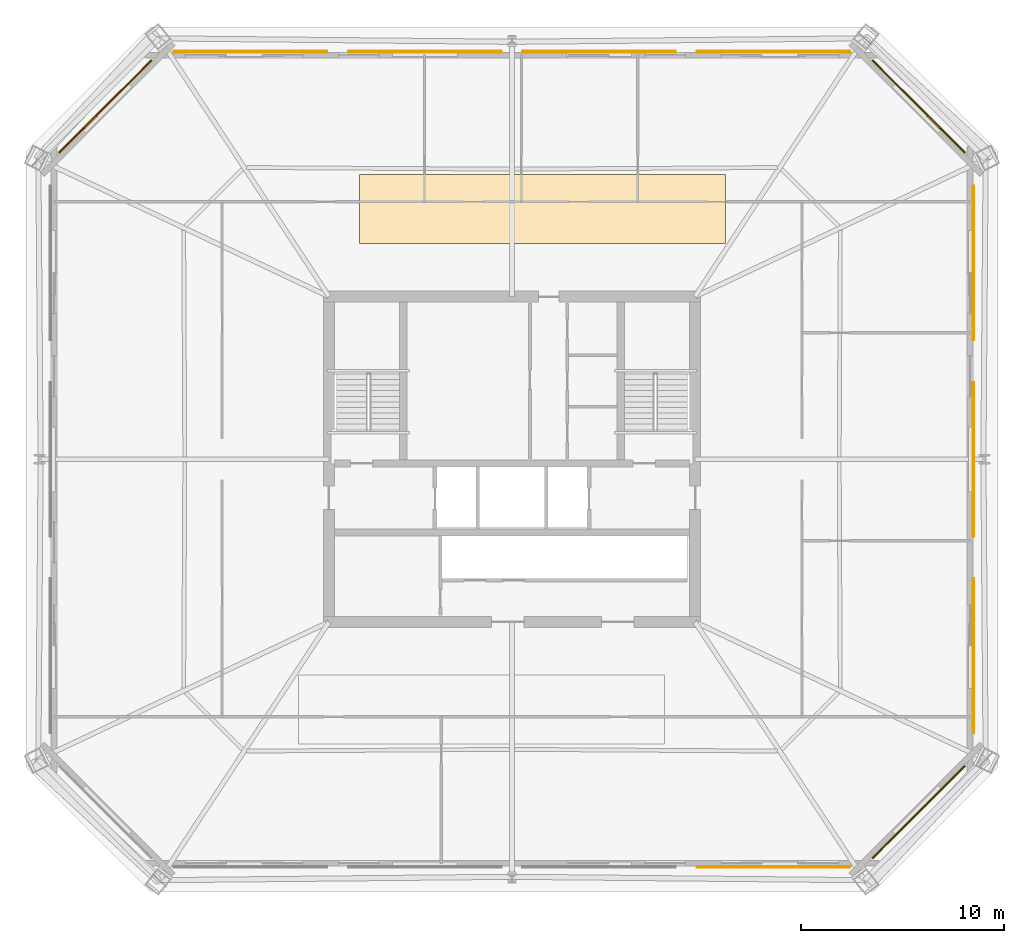
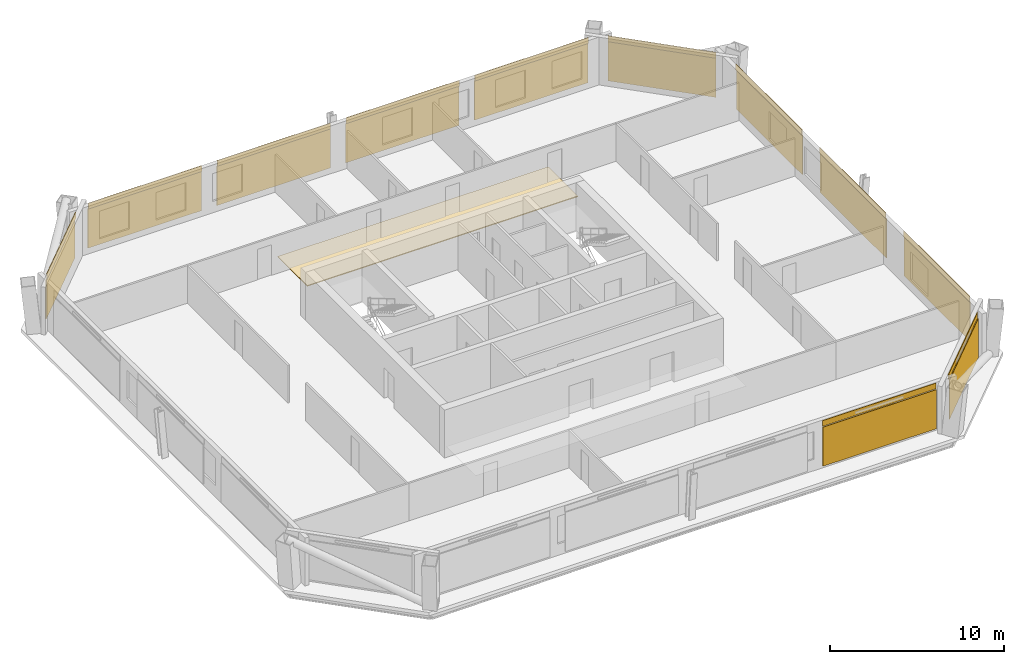
# One storey, part 7 of 7: 12 coverings, 11 shading devices.
"""IFC4 building model written with IfcOpenShell, lengths in metres."""

from ifc_helpers import new_model, si_unit, direction, frame, origin, origin_2d, place, context, subcontext, project, spatial, polyline, rectangle, outline, extrude, material, layer, layer_set, type_object, element, save


model = new_model("IFC4")

# Units and contexts
model_context = context("Model", 3, precision=1e-05, world=origin(), true_north=direction((0.0, 1.0)))
body_context = subcontext(model_context, "Body", "Model", "MODEL_VIEW")
ifc_project = project(units=[si_unit("LENGTHUNIT", "METRE"), si_unit("AREAUNIT", "SQUARE_METRE"), si_unit("VOLUMEUNIT", "CUBIC_METRE"), si_unit("PLANEANGLEUNIT", "RADIAN"), si_unit("MASSUNIT", "GRAM", prefix="KILO")], contexts=[model_context])

# Site, building, storey
site_placement = place(None, origin())
site = spatial("IfcSite", under=ifc_project, at=site_placement, CompositionType="ELEMENT")
building_placement = place(site_placement, origin())
building = spatial("IfcBuilding", under=site, at=building_placement, Name="Caelvoria Tower", CompositionType="ELEMENT")
storey_placement = place(building_placement, frame((0.0, 0.0, 134.800048828125)))
storey = spatial("IfcBuildingStorey", under=building, at=storey_placement, Name="L35", CompositionType="ELEMENT", Elevation=134.800048828125)

# Coverings
ifc_material_1 = material(Name="Perforated Architectural Bronze Cladding Screen", Category="bronze")
ifc_layer_1 = layer(ifc_material_1, 0.0400390625, Name="Perforated Architectural Bronze Cladding Screen")
ifc_layer_set_1 = layer_set([ifc_layer_1], Name="Perforated Bronze Louvre Cladding Band 40 - Perforated Architectural Bronze Cladding Screen")
covering_type_1 = type_object("IfcCoveringType", Name="Perforated Bronze Louvre Cladding Band 40", PredefinedType="CLADDING", material=ifc_layer_set_1)
covering_1_placement = place(storey_placement, frame((58.85498046875, 11.97802734375, 2.93994140625), z_axis=(0.0, 0.0, 1.0), x_axis=(1.0, 0.0, 0.0)))
element("IfcCovering", 1, at=covering_1_placement, inside=storey, type_object=covering_type_1, Name="Perforated Bronze Screen Band L35-E0-03", PredefinedType="CLADDING", context=body_context, shape_type="SweptSolid", body=[
    extrude(rectangle(XDim=7.54150390625, YDim=0.0400390625, at=origin_2d()), origin(), (0.0, 0.0, 1.0), 0.39990234375),
])
covering_2_placement = place(storey_placement, frame((65.981689453125, 14.668212890625, 2.93994140625), z_axis=(0.0, 0.0, 1.0), x_axis=(0.707106781187, 0.707106781187, 0.0)))
element("IfcCovering", 2, at=covering_2_placement, inside=storey, type_object=covering_type_1, Name="Perforated Bronze Screen Band L35-E1-00", PredefinedType="CLADDING", context=body_context, shape_type="SweptSolid", body=[
    extrude(rectangle(XDim=6.429931640625, YDim=0.0400390625, at=origin_2d()), origin(), (0.0, 0.0, 1.0), 0.39990234375),
])
for number, where, z_axis, x_axis, name in (
    (3, (68.672119140625, 22.340087890625, 2.93994140625), (0.0, 0.0, 1.0), (0.0, 1.0, 0.0), "Perforated Bronze Screen Band L35-E2-00"),
    (4, (68.672119140625, 32.0, 2.93994140625), (0.0, 0.0, 1.0), (0.0, 1.0, 0.0), "Perforated Bronze Screen Band L35-E2-01"),
    (5, (68.672119140625, 41.659912109375, 2.93994140625), (0.0, 0.0, 1.0), (0.0, 1.0, 0.0), "Perforated Bronze Screen Band L35-E2-02"),
):
    element("IfcCovering", number, at=place(storey_placement, frame(where, z_axis=z_axis, x_axis=x_axis)), inside=storey, type_object=covering_type_1, Name=name, PredefinedType="CLADDING", context=body_context, shape_type="SweptSolid", body=[
        extrude(rectangle(XDim=7.60009765625, YDim=0.0400390625, at=origin_2d()), origin(), (0.0, 0.0, 1.0), 0.39990234375),
    ])
covering_3_placement = place(storey_placement, frame((65.981689453125, 49.331787109375, 2.93994140625), z_axis=(0.0, 0.0, 1.0), x_axis=(-0.707106781187, 0.707106781187, 0.0)))
element("IfcCovering", 6, at=covering_3_placement, inside=storey, type_object=covering_type_1, Name="Perforated Bronze Screen Band L35-E3-00", PredefinedType="CLADDING", context=body_context, shape_type="SweptSolid", body=[
    extrude(rectangle(XDim=6.429931640625, YDim=0.0400390625, at=origin_2d()), origin(), (0.0, 0.0, 1.0), 0.39990234375),
])
for number, where, z_axis, x_axis, name in (
    (7, (58.85498046875, 52.02197265625, 2.93994140625), (0.0, 0.0, 1.0), (-1.0, 0.0, 0.0), "Perforated Bronze Screen Band L35-E4-00"),
    (8, (50.284912109375, 52.02197265625, 2.93994140625), (0.0, 0.0, 1.0), (-1.0, 0.0, 0.0), "Perforated Bronze Screen Band L35-E4-01"),
    (9, (41.715087890625, 52.02197265625, 2.93994140625), (0.0, 0.0, 1.0), (-1.0, 0.0, 0.0), "Perforated Bronze Screen Band L35-E4-02"),
    (10, (33.14501953125, 52.02197265625, 2.93994140625), (0.0, 0.0, 1.0), (-1.0, 0.0, 0.0), "Perforated Bronze Screen Band L35-E4-03"),
):
    element("IfcCovering", number, at=place(storey_placement, frame(where, z_axis=z_axis, x_axis=x_axis)), inside=storey, type_object=covering_type_1, Name=name, PredefinedType="CLADDING", context=body_context, shape_type="SweptSolid", body=[
        extrude(rectangle(XDim=7.54150390625, YDim=0.0400390625, at=origin_2d()), origin(), (0.0, 0.0, 1.0), 0.39990234375),
    ])
covering_4_placement = place(storey_placement, frame((26.018310546875, 49.331787109375, 2.93994140625), z_axis=(0.0, 0.0, 1.0), x_axis=(-0.707106781187, -0.707106781187, 0.0)))
element("IfcCovering", 11, at=covering_4_placement, inside=storey, type_object=covering_type_1, Name="Perforated Bronze Screen Band L35-E5-00", PredefinedType="CLADDING", context=body_context, shape_type="SweptSolid", body=[
    extrude(rectangle(XDim=6.429931640625, YDim=0.0400390625, at=origin_2d()), origin(), (0.0, 0.0, 1.0), 0.39990234375),
])

# Shading devices
ifc_material_2 = material(Name="Perforated Architectural Bronze Alloy Panel", Category="bronze")
ifc_layer_2 = layer(ifc_material_2, 0.044921875, Name="Perforated Architectural Bronze Alloy Panel")
ifc_layer_set_2 = layer_set([ifc_layer_2], Name="Perforated Bronze Solar Screen Panel SCREEN - Perforated Architectural Bronze Alloy Panel")
shading_device_type = type_object("IfcShadingDeviceType", Name="Perforated Bronze Solar Screen Panel SCREEN", PredefinedType="USERDEFINED", material=ifc_layer_set_2)
shading_device_1_placement = place(storey_placement, frame((58.85498046875, 11.93505859375, 0.159912109375), z_axis=(0.0, 0.0, 1.0), x_axis=(1.0, 0.0, 0.0)))
element("IfcShadingDevice", 12, at=shading_device_1_placement, inside=storey, type_object=shading_device_type, Name="Perforated Bronze Solar Screen L35-E0-03", ObjectType="SCREEN", PredefinedType="USERDEFINED", context=body_context, shape_type="SweptSolid", body=[
    extrude(rectangle(XDim=7.54150390625, YDim=0.044921875, at=origin_2d()), origin(), (0.0, 0.0, 1.0), 2.75),
])
shading_device_2_placement = place(storey_placement, frame((66.01220703125, 14.637939453125, 0.159912109375), z_axis=(0.0, 0.0, 1.0), x_axis=(0.707106781187, 0.707106781187, 0.0)))
element("IfcShadingDevice", 13, at=shading_device_2_placement, inside=storey, type_object=shading_device_type, Name="Perforated Bronze Solar Screen L35-E1-00", ObjectType="SCREEN", PredefinedType="USERDEFINED", context=body_context, shape_type="SweptSolid", body=[
    extrude(rectangle(XDim=6.429931640625, YDim=0.044921875, at=origin_2d()), origin(), (0.0, 0.0, 1.0), 2.75),
])
for number, where, z_axis, x_axis, name in (
    (14, (68.715087890625, 22.340087890625, 0.159912109375), (0.0, 0.0, 1.0), (0.0, 1.0, 0.0), "Perforated Bronze Solar Screen L35-E2-00"),
    (15, (68.715087890625, 32.0, 0.159912109375), (0.0, 0.0, 1.0), (0.0, 1.0, 0.0), "Perforated Bronze Solar Screen L35-E2-01"),
    (16, (68.715087890625, 41.659912109375, 0.159912109375), (0.0, 0.0, 1.0), (0.0, 1.0, 0.0), "Perforated Bronze Solar Screen L35-E2-02"),
):
    element("IfcShadingDevice", number, at=place(storey_placement, frame(where, z_axis=z_axis, x_axis=x_axis)), inside=storey, type_object=shading_device_type, Name=name, ObjectType="SCREEN", PredefinedType="USERDEFINED", context=body_context, shape_type="SweptSolid", body=[
        extrude(rectangle(XDim=7.60009765625, YDim=0.044921875, at=origin_2d()), origin(), (0.0, 0.0, 1.0), 2.75),
    ])
shading_device_3_placement = place(storey_placement, frame((66.01220703125, 49.362060546875, 0.159912109375), z_axis=(0.0, 0.0, 1.0), x_axis=(-0.707106781187, 0.707106781187, 0.0)))
element("IfcShadingDevice", 17, at=shading_device_3_placement, inside=storey, type_object=shading_device_type, Name="Perforated Bronze Solar Screen L35-E3-00", ObjectType="SCREEN", PredefinedType="USERDEFINED", context=body_context, shape_type="SweptSolid", body=[
    extrude(rectangle(XDim=6.429931640625, YDim=0.044921875, at=origin_2d()), origin(), (0.0, 0.0, 1.0), 2.75),
])
for number, where, z_axis, x_axis, name in (
    (18, (58.85498046875, 52.06494140625, 0.159912109375), (0.0, 0.0, 1.0), (-1.0, 0.0, 0.0), "Perforated Bronze Solar Screen L35-E4-00"),
    (19, (50.284912109375, 52.06494140625, 0.159912109375), (0.0, 0.0, 1.0), (-1.0, 0.0, 0.0), "Perforated Bronze Solar Screen L35-E4-01"),
    (20, (41.715087890625, 52.06494140625, 0.159912109375), (0.0, 0.0, 1.0), (-1.0, 0.0, 0.0), "Perforated Bronze Solar Screen L35-E4-02"),
    (21, (33.14501953125, 52.06494140625, 0.159912109375), (0.0, 0.0, 1.0), (-1.0, 0.0, 0.0), "Perforated Bronze Solar Screen L35-E4-03"),
):
    element("IfcShadingDevice", number, at=place(storey_placement, frame(where, z_axis=z_axis, x_axis=x_axis)), inside=storey, type_object=shading_device_type, Name=name, ObjectType="SCREEN", PredefinedType="USERDEFINED", context=body_context, shape_type="SweptSolid", body=[
        extrude(rectangle(XDim=7.54150390625, YDim=0.044921875, at=origin_2d()), origin(), (0.0, 0.0, 1.0), 2.75),
    ])
shading_device_4_placement = place(storey_placement, frame((25.98779296875, 49.362060546875, 0.159912109375), z_axis=(0.0, 0.0, 1.0), x_axis=(-0.707106781187, -0.707106781187, 0.0)))
element("IfcShadingDevice", 22, at=shading_device_4_placement, inside=storey, type_object=shading_device_type, Name="Perforated Bronze Solar Screen L35-E5-00", ObjectType="SCREEN", PredefinedType="USERDEFINED", context=body_context, shape_type="SweptSolid", body=[
    extrude(rectangle(XDim=6.429931640625, YDim=0.044921875, at=origin_2d()), origin(), (0.0, 0.0, 1.0), 2.75),
])

# Covering
ifc_material_3 = material(Name="Calcium-Sulphate Raised Floor Tile", Category="gypsum")
ifc_layer_3 = layer(ifc_material_3, 0.06005859375, Name="Calcium-Sulphate Raised Floor Tile")
ifc_layer_set_3 = layer_set([ifc_layer_3], Name="Raised Access Office Floor System 120 - Calcium-Sulphate Raised Floor Tile")
covering_type_2 = type_object("IfcCoveringType", Name="Raised Access Office Floor System 120", PredefinedType="FLOORING", material=ifc_layer_set_3)
covering_5_placement = place(storey_placement, origin())
element("IfcCovering", 23, at=covering_5_placement, inside=storey, type_object=covering_type_2, Name="Raised Access Flooring L35", PredefinedType="FLOORING", context=body_context, shape_type="SweptSolid", body=[
    extrude(outline(polyline([(38.5, 42.60009765625), (56.5, 42.60009765625), (56.5, 46.0), (38.5, 46.0), (38.5, 42.60009765625)])), origin(), (0.0, 0.0, 1.0), 0.06005859375),
])

save(model, "model.ifc")
